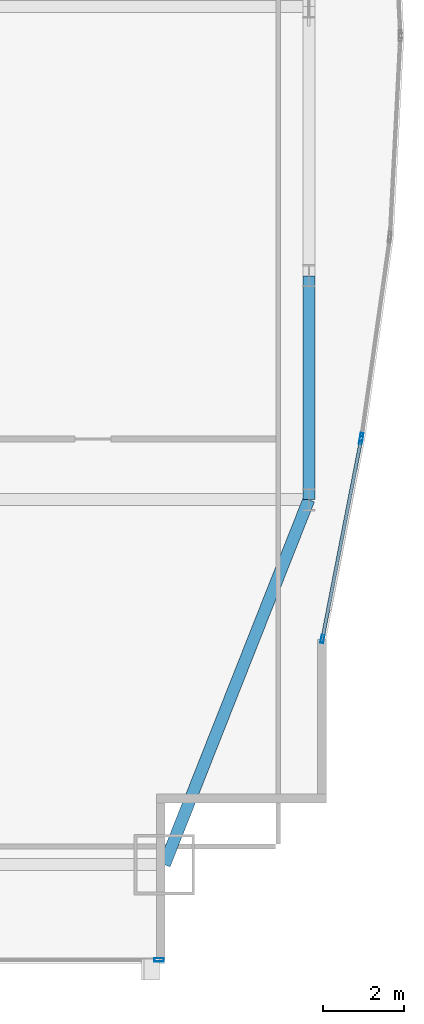
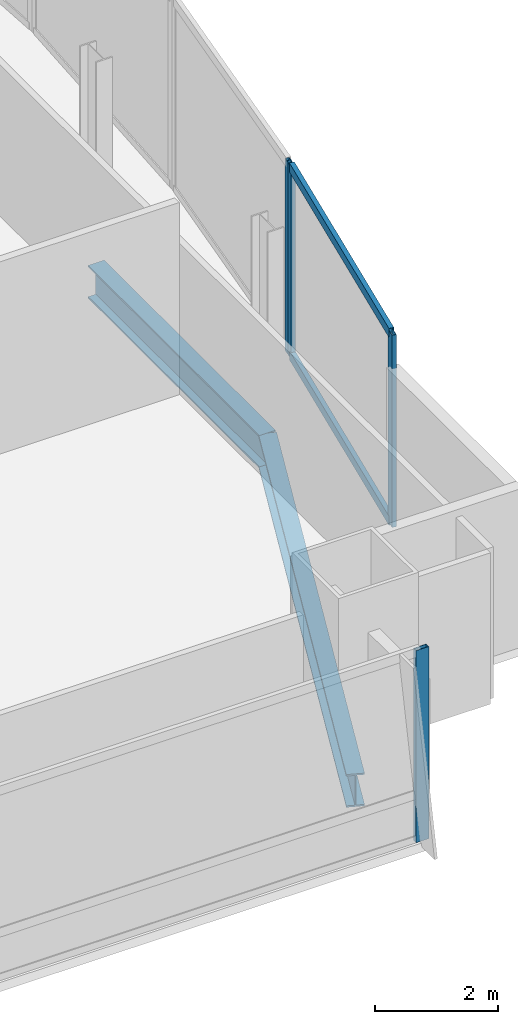
# One storey, part 21 of 34: 6 members, 2 beams, 3 elements without a shape of their own.
"""IFC4 building model written with IfcOpenShell, lengths in metres."""

from ifc_helpers import new_model, si_unit, direction, frame, origin, origin_2d, place, context, subcontext, project, spatial, hollow_rectangle, i_section, extrude, material, material_profile, profile_set, type_object, element, aggregate, save


model = new_model("IFC4")

# Units and contexts
model_context = context("Model", 3, precision=1e-05, world=origin(), true_north=direction((0.0, 1.0)))
body_context = subcontext(model_context, "Body", "Model", "MODEL_VIEW")
ifc_project = project(units=[si_unit("LENGTHUNIT", "METRE"), si_unit("AREAUNIT", "SQUARE_METRE"), si_unit("VOLUMEUNIT", "CUBIC_METRE"), si_unit("PLANEANGLEUNIT", "RADIAN"), si_unit("MASSUNIT", "GRAM", prefix="KILO")], contexts=[model_context])

# Site, building, storey
site_placement = place(None, origin())
site = spatial("IfcSite", under=ifc_project, at=site_placement, CompositionType="ELEMENT")
building_placement = place(site_placement, origin())
building = spatial("IfcBuilding", under=site, at=building_placement, Name="Khoronbel Lancet Exchange", CompositionType="ELEMENT")
storey_placement = place(building_placement, frame((0.0, 0.0, 102.60009765625)))
storey = spatial("IfcBuildingStorey", under=building, at=storey_placement, Name="L24", CompositionType="ELEMENT", Elevation=102.60009765625)

# Beams
ifc_material_1 = material(Name="Steel S355", Category="steel")
ifc_material_profile_1 = material_profile(ifc_material_1, i_section(OverallWidth=0.300048828125, OverallDepth=0.64990234375, WebThickness=0.01611328125, FlangeThickness=0.031005859375, at=origin_2d()), Name="HEB 650")
ifc_profile_set_1 = profile_set([ifc_material_profile_1], Name="Steel S355")
beam_type = type_object("IfcBeamType", Name="BM-BSP1", PredefinedType="SPANDREL", material=ifc_profile_set_1)
beam_1_placement = place(storey_placement, frame((66.050048828125, 10.14990234375, -0.505126953125), z_axis=(0.367828403855, 0.929893684954, 0.0), x_axis=(-0.929893684954, 0.367828403855, 0.0)))
element("IfcBeam", 1, at=beam_1_placement, inside=storey, type_object=beam_type, Name="Level L24 perimeter spandrel beam SP10", PredefinedType="SPANDREL", context=body_context, shape_type="SweptSolid", body=[
    extrude(i_section(OverallWidth=0.300048828125, OverallDepth=0.64990234375, WebThickness=0.01611328125, FlangeThickness=0.031005859375, at=origin_2d()), origin(), (0.0, 0.0, 1.0), 9.732421875),
])
beam_2_placement = place(storey_placement, frame((69.6298828125, 19.199951171875, -0.505126953125), z_axis=(0.0, 1.0, 0.0), x_axis=(-1.0, 0.0, 0.0)))
element("IfcBeam", 2, at=beam_2_placement, inside=storey, type_object=beam_type, Name="Level L24 perimeter spandrel beam SP11", PredefinedType="SPANDREL", context=body_context, shape_type="SweptSolid", body=[
    extrude(i_section(OverallWidth=0.300048828125, OverallDepth=0.64990234375, WebThickness=0.01611328125, FlangeThickness=0.031005859375, at=origin_2d()), origin(), (0.0, 0.0, 1.0), 5.550048828125),
])

# Curtain wall, member
ifc_material_2 = material(Name="Low-E Solar Control Insulating Glass", Category="glass")
curtain_wall_type_1 = type_object("IfcCurtainWallType", Name="CW-2", PredefinedType="NOTDEFINED", material=ifc_material_2)
curtain_wall_1_placement = place(storey_placement, origin())
curtain_wall_1 = element("IfcCurtainWall", 3, at=curtain_wall_1_placement, inside=storey, type_object=curtain_wall_type_1, Name="Unitised curtain wall CW-L24-SEV", PredefinedType="NOTDEFINED")
ifc_material_3 = material(Name="Bronze-Anodised Aluminium 6063-T6", Category="aluminium")
ifc_material_profile_2 = material_profile(ifc_material_3, hollow_rectangle(XDim=0.0849609375, YDim=0.239990234375, WallThickness=0.006103515625, at=origin_2d()), Name="ALU MULLION 85x240")
ifc_profile_set_2 = profile_set([ifc_material_profile_2], Name="Bronze-Anodised Aluminium 6063-T6")
member_type_1 = type_object("IfcMemberType", Name="MEM-CWM1", PredefinedType="MULLION", material=ifc_profile_set_2)
member_1_placement = place(storey_placement, frame((65.91748046875, 7.7900390625, 0.0), z_axis=(0.0, 0.0, 1.0), x_axis=(0.0, 1.0, 0.0)))
member_1 = element("IfcMember", 4, at=member_1_placement, type_object=member_type_1, Name="CW2 mullion 2", PredefinedType="MULLION", context=body_context, shape_type="SweptSolid", body=[
    extrude(hollow_rectangle(XDim=0.0849609375, YDim=0.239990234375, WallThickness=0.006103515625, at=origin_2d()), origin(), (0.0, 0.0, 1.0), 3.7998046875),
])
aggregate(curtain_wall_1, [member_1])

curtain_wall_type_2 = type_object("IfcCurtainWallType", Name="CW-4", PredefinedType="NOTDEFINED", material=ifc_material_2)
curtain_wall_2_placement = place(storey_placement, origin())
curtain_wall_2 = element("IfcCurtainWall", 5, at=curtain_wall_2_placement, inside=storey, type_object=curtain_wall_type_2, Name="Unitised curtain wall CW-L24-E21", PredefinedType="NOTDEFINED")
ifc_material_profile_3 = material_profile(ifc_material_3, hollow_rectangle(XDim=0.074951171875, YDim=0.199951171875, WallThickness=0.0048828125, at=origin_2d()), Name="ALU MULLION 75x200")
ifc_profile_set_3 = profile_set([ifc_material_profile_3], Name="Bronze-Anodised Aluminium 6063-T6")
member_type_2 = type_object("IfcMemberType", Name="MEM-CWM2", PredefinedType="MULLION", material=ifc_profile_set_3)
member_2_placement = place(storey_placement, frame((70.936279296875, 20.751953125, 0.0), z_axis=(0.0, 0.0, 1.0), x_axis=(0.990065733609, -0.1406052742, 0.0)))
member_2 = element("IfcMember", 6, at=member_2_placement, type_object=member_type_2, Name="CW4 mullion 2", PredefinedType="MULLION", context=body_context, shape_type="SweptSolid", body=[
    extrude(hollow_rectangle(XDim=0.074951171875, YDim=0.199951171875, WallThickness=0.0048828125, at=origin_2d()), origin(), (0.0, 0.0, 1.0), 3.7998046875),
])
aggregate(curtain_wall_2, [member_2])

# Curtain wall, members
curtain_wall_3_placement = place(storey_placement, origin())
curtain_wall_3 = element("IfcCurtainWall", 7, at=curtain_wall_3_placement, inside=storey, type_object=curtain_wall_type_2, Name="Unitised curtain wall CW-L24-E22", PredefinedType="NOTDEFINED")
member_3_placement = place(storey_placement, frame((70.924072265625, 20.677978515625, 0.0), z_axis=(0.0, 0.0, 1.0), x_axis=(0.981701526761, -0.190426133595, 0.0)))
member_3 = element("IfcMember", 8, at=member_3_placement, type_object=member_type_2, Name="CW4 mullion 1", PredefinedType="MULLION", context=body_context, shape_type="SweptSolid", body=[
    extrude(hollow_rectangle(XDim=0.074951171875, YDim=0.199951171875, WallThickness=0.0048828125, at=origin_2d()), origin(), (0.0, 0.0, 1.0), 3.7998046875),
])
member_4_placement = place(storey_placement, frame((69.967041015625, 15.745361328125, 0.0), z_axis=(0.0, 0.0, 1.0), x_axis=(0.981701526761, -0.190426133595, 0.0)))
member_4 = element("IfcMember", 9, at=member_4_placement, type_object=member_type_2, Name="CW4 mullion 2", PredefinedType="MULLION", context=body_context, shape_type="SweptSolid", body=[
    extrude(hollow_rectangle(XDim=0.074951171875, YDim=0.199951171875, WallThickness=0.0048828125, at=origin_2d()), origin(), (0.0, 0.0, 1.0), 3.7998046875),
])
ifc_material_profile_4 = material_profile(ifc_material_3, hollow_rectangle(XDim=0.0849609375, YDim=0.179931640625, WallThickness=0.0048828125, at=origin_2d()), Name="ALU TRANSOM 85x180")
ifc_profile_set_4 = profile_set([ifc_material_profile_4], Name="Bronze-Anodised Aluminium 6063-T6")
member_type_3 = type_object("IfcMemberType", Name="MEM-CWT1", PredefinedType="USERDEFINED", material=ifc_profile_set_4)
member_5_placement = place(storey_placement, frame((70.916748046875, 20.641357421875, 0.04248046875), z_axis=(-0.19039303974, -0.981707945582, 0.0), x_axis=(0.981707945582, -0.19039303974, 0.0)))
member_5 = element("IfcMember", 10, at=member_5_placement, type_object=member_type_3, Name="CW4 transom 1.1", ObjectType="TRANSOM", PredefinedType="USERDEFINED", context=body_context, shape_type="SweptSolid", body=[
    extrude(hollow_rectangle(XDim=0.0849609375, YDim=0.179931640625, WallThickness=0.0048828125, at=origin_2d()), origin(), (0.0, 0.0, 1.0), 4.94970703125),
])
member_6_placement = place(storey_placement, frame((70.916748046875, 20.641357421875, 3.75732421875), z_axis=(-0.19039303974, -0.981707945582, 0.0), x_axis=(0.981707945582, -0.19039303974, 0.0)))
member_6 = element("IfcMember", 11, at=member_6_placement, type_object=member_type_3, Name="CW4 transom 1.2", ObjectType="TRANSOM", PredefinedType="USERDEFINED", context=body_context, shape_type="SweptSolid", body=[
    extrude(hollow_rectangle(XDim=0.0849609375, YDim=0.179931640625, WallThickness=0.0048828125, at=origin_2d()), origin(), (0.0, 0.0, 1.0), 4.94970703125),
])
aggregate(curtain_wall_3, [member_3, member_4, member_5, member_6])

save(model, "model.ifc")
